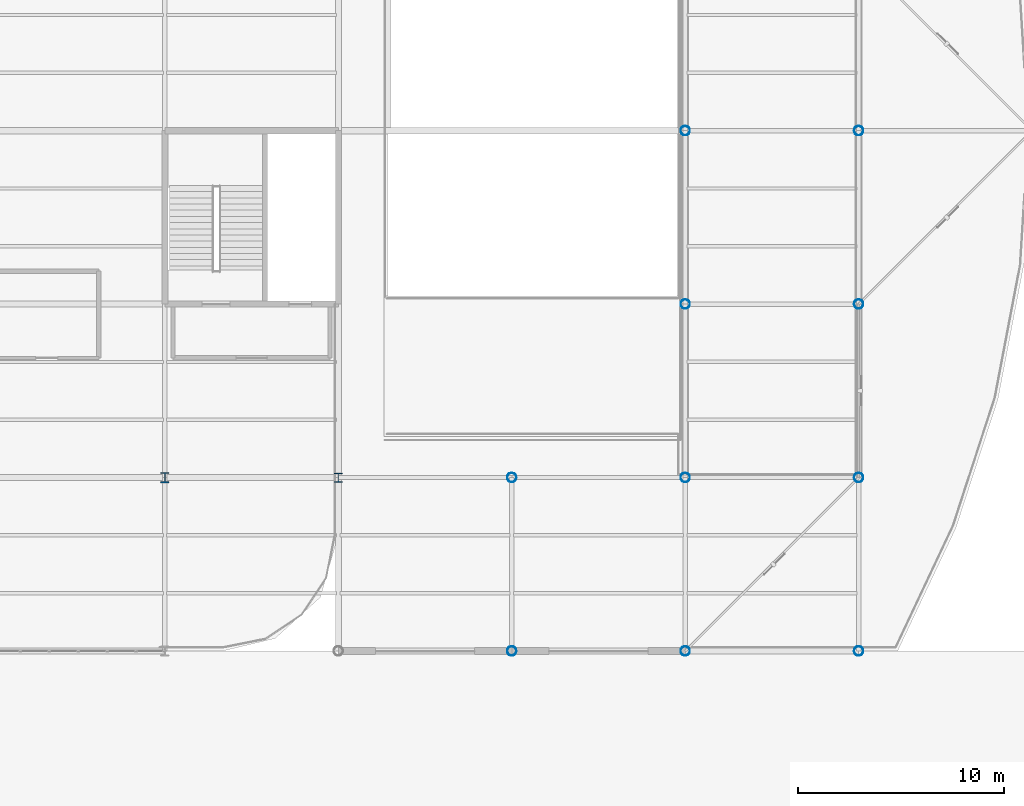
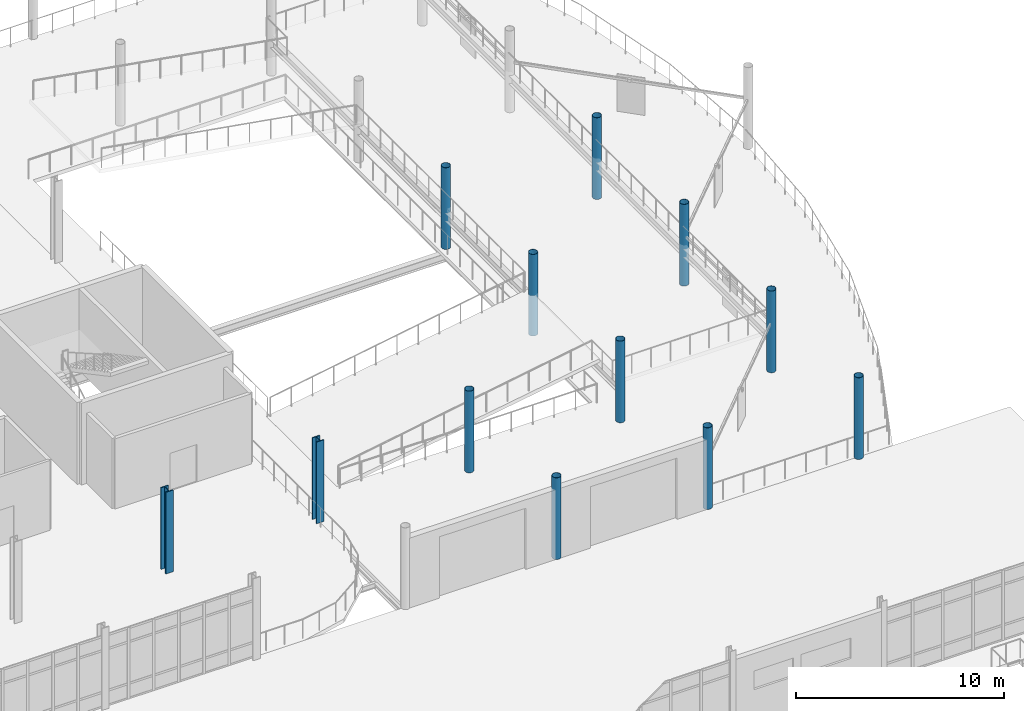
# One storey, part 19 of 145: 12 columns.
"""IFC4 building model written with IfcOpenShell, lengths in metres."""

from ifc_helpers import new_model, si_unit, direction, frame, origin, origin_2d, place, context, subcontext, project, spatial, hollow_circle, i_section, extrude, material, material_profile, profile_set, type_object, element, save


model = new_model("IFC4")

# Units and contexts
model_context = context("Model", 3, precision=1e-05, world=origin(), true_north=direction((0.0, 1.0)))
body_context = subcontext(model_context, "Body", "Model", "MODEL_VIEW")
ifc_project = project(units=[si_unit("LENGTHUNIT", "METRE"), si_unit("AREAUNIT", "SQUARE_METRE"), si_unit("VOLUMEUNIT", "CUBIC_METRE"), si_unit("PLANEANGLEUNIT", "RADIAN"), si_unit("MASSUNIT", "GRAM", prefix="KILO")], contexts=[model_context])

# Site, building, storey
site_placement = place(None, origin())
site = spatial("IfcSite", under=ifc_project, at=site_placement, CompositionType="ELEMENT")
building_placement = place(site_placement, origin())
building = spatial("IfcBuilding", under=site, at=building_placement, Name="Qalvenar Corner Mobility Hub", CompositionType="ELEMENT")
storey_placement = place(building_placement, origin())
storey = spatial("IfcBuildingStorey", under=building, at=storey_placement, Name="L00", CompositionType="ELEMENT", Elevation=0.0)

# Columns
ifc_material = material(Name="Steel S355", Category="steel")
ifc_material_profile_1 = material_profile(ifc_material, hollow_circle(Radius=0.228515625, WallThickness=0.01416015625, at=origin_2d()), Name="CHS457x14.2")
ifc_profile_set_1 = profile_set([ifc_material_profile_1], Name="Steel S355")
column_type_1 = type_object("IfcColumnType", Name="COL-CHS457", PredefinedType="COLUMN", material=ifc_profile_set_1)
for number, where, z_axis, x_axis, name in (
    (1, (151.199951171875, 67.199951171875, 0.0), (0.0, 0.0, 1.0), (1.0, 0.0, 0.0), "Steel Column L00-G19-8"),
    (2, (151.199951171875, 75.60009765625, 0.0), (0.0, 0.0, 1.0), (1.0, 0.0, 0.0), "Steel Column L00-G19-9"),
    (3, (159.60009765625, 67.199951171875, 0.0), (0.0, 0.0, 1.0), (1.0, 0.0, 0.0), "Steel Column L00-G20-8"),
    (4, (159.60009765625, 75.60009765625, 0.0), (0.0, 0.0, 1.0), (1.0, 0.0, 0.0), "Steel Column L00-G20-9"),
    (5, (159.60009765625, 84.0, 0.0), (0.0, 0.0, 1.0), (1.0, 0.0, 0.0), "Steel Column L00-G20-10"),
    (6, (159.60009765625, 92.39990234375, 0.0), (0.0, 0.0, 1.0), (1.0, 0.0, 0.0), "Steel Column L00-G20-11"),
    (7, (168.0, 67.199951171875, 0.0), (0.0, 0.0, 1.0), (1.0, 0.0, 0.0), "Steel Column L00-G21-8"),
    (8, (168.0, 75.60009765625, 0.0), (0.0, 0.0, 1.0), (1.0, 0.0, 0.0), "Steel Column L00-G21-9"),
    (9, (168.0, 84.0, 0.0), (0.0, 0.0, 1.0), (1.0, 0.0, 0.0), "Steel Column L00-G21-10"),
    (10, (168.0, 92.39990234375, 0.0), (0.0, 0.0, 1.0), (1.0, 0.0, 0.0), "Steel Column L00-G21-11"),
):
    element("IfcColumn", number, at=place(storey_placement, frame(where, z_axis=z_axis, x_axis=x_axis)), inside=storey, type_object=column_type_1, Name=name, PredefinedType="COLUMN", context=body_context, shape_type="SweptSolid", body=[
        extrude(hollow_circle(Radius=0.228515625, WallThickness=0.01416015625, at=origin_2d()), origin(), (0.0, 0.0, 1.0), 4.800048828125),
    ])
ifc_material_profile_2 = material_profile(ifc_material, i_section(OverallWidth=0.412109375, OverallDepth=0.455078125, WebThickness=0.030517578125, FlangeThickness=0.049072265625, FilletRadius=0.014892578125, at=origin_2d()), Name="HD400x421")
ifc_profile_set_2 = profile_set([ifc_material_profile_2], Name="Steel S355")
column_type_2 = type_object("IfcColumnType", Name="COL-HD400X382", PredefinedType="COLUMN", material=ifc_profile_set_2)
column_1_placement = place(storey_placement, frame((142.800048828125, 75.60009765625, 0.0), z_axis=(0.0, 0.0, 1.0), x_axis=(1.0, 0.0, 0.0)))
element("IfcColumn", 11, at=column_1_placement, inside=storey, type_object=column_type_2, Name="Steel Column L00-G18-9", PredefinedType="COLUMN", context=body_context, shape_type="SweptSolid", body=[
    extrude(i_section(OverallWidth=0.412109375, OverallDepth=0.455078125, WebThickness=0.030517578125, FlangeThickness=0.049072265625, FilletRadius=0.014892578125, at=origin_2d()), origin(), (0.0, 0.0, 1.0), 4.800048828125),
])
ifc_material_profile_3 = material_profile(ifc_material, i_section(OverallWidth=0.419921875, OverallDepth=0.5048828125, WebThickness=0.03662109375, FlangeThickness=0.05908203125, FilletRadius=0.014892578125, at=origin_2d()), Name="HD400x551")
ifc_profile_set_3 = profile_set([ifc_material_profile_3], Name="Steel S355")
column_type_3 = type_object("IfcColumnType", Name="COL-HD400X463", PredefinedType="COLUMN", material=ifc_profile_set_3)
column_2_placement = place(storey_placement, frame((134.39990234375, 75.60009765625, 0.0), z_axis=(0.0, 0.0, 1.0), x_axis=(1.0, 0.0, 0.0)))
element("IfcColumn", 12, at=column_2_placement, inside=storey, type_object=column_type_3, Name="Steel Column L00-G17-9", PredefinedType="COLUMN", context=body_context, shape_type="SweptSolid", body=[
    extrude(i_section(OverallWidth=0.419921875, OverallDepth=0.5048828125, WebThickness=0.03662109375, FlangeThickness=0.05908203125, FilletRadius=0.014892578125, at=origin_2d()), origin(), (0.0, 0.0, 1.0), 4.800048828125),
])

save(model, "model.ifc")
